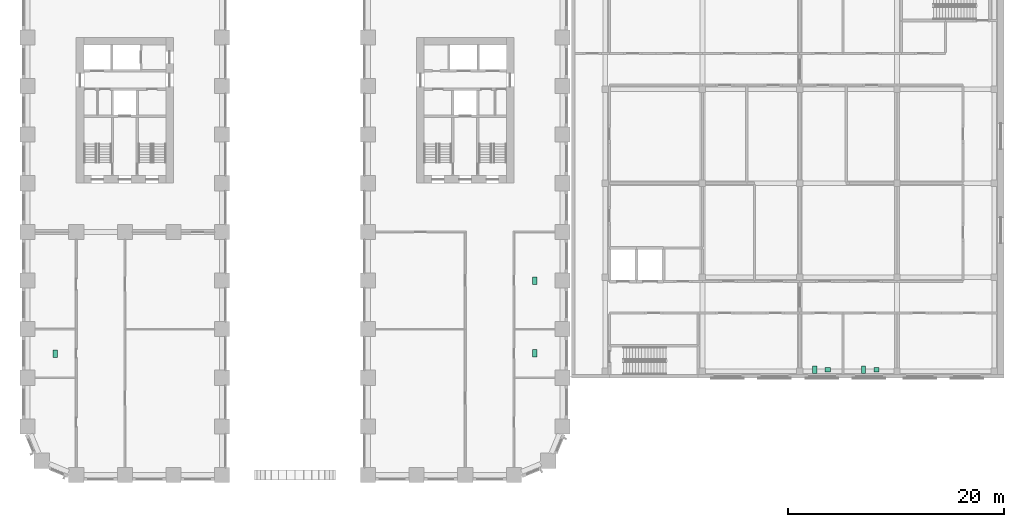
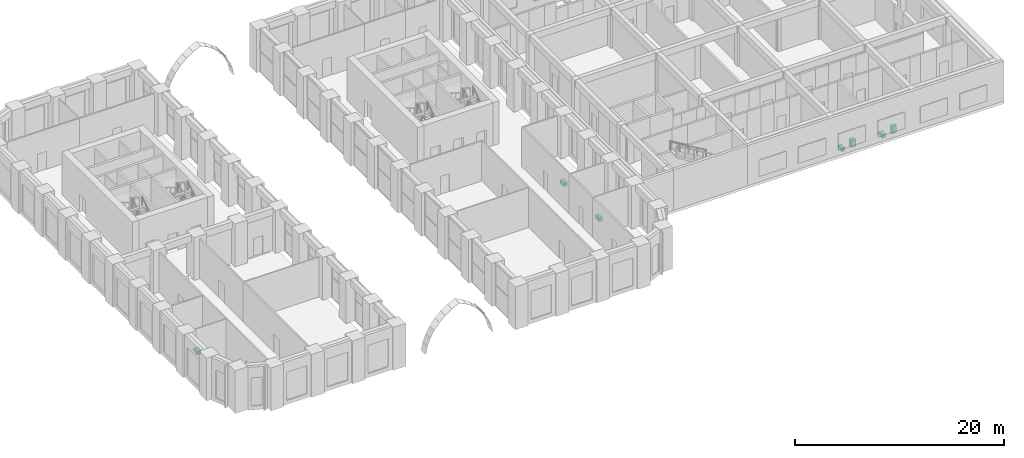
# One storey, part 24 of 24: 7 sanitary terminals.
"""IFC4 building model written with IfcOpenShell, lengths in metres."""

from ifc_helpers import new_model, si_unit, direction, frame, origin, origin_2d, place, context, subcontext, project, spatial, rectangle, extrude, material, type_object, element, save


model = new_model("IFC4")

# Units and contexts
model_context = context("Model", 3, precision=1e-05, world=origin(), true_north=direction((0.0, 1.0)))
body_context = subcontext(model_context, "Body", "Model", "MODEL_VIEW")
ifc_project = project(units=[si_unit("LENGTHUNIT", "METRE"), si_unit("AREAUNIT", "SQUARE_METRE"), si_unit("VOLUMEUNIT", "CUBIC_METRE"), si_unit("PLANEANGLEUNIT", "RADIAN"), si_unit("MASSUNIT", "GRAM", prefix="KILO")], contexts=[model_context])

# Site, building, storey
site_placement = place(None, origin())
site = spatial("IfcSite", under=ifc_project, at=site_placement, CompositionType="ELEMENT")
building_placement = place(site_placement, origin())
building = spatial("IfcBuilding", under=site, at=building_placement, Name="Girih Gate Residences", CompositionType="ELEMENT")
storey_placement = place(building_placement, frame((0.0, 0.0, 11.0)))
storey = spatial("IfcBuildingStorey", under=building, at=storey_placement, Name="L02", CompositionType="ELEMENT", Elevation=11.0)

# Sanitary terminals
ifc_material = material(Name="Vitreous china")
sanitary_terminal_type_1 = type_object("IfcSanitaryTerminalType", Name="HC WC pan", PredefinedType="WCSEAT", material=ifc_material)
for number, where, z_axis, x_axis, name in (
    (1, (72.85009765625, 9.75, 0.0), (0.0, 0.0, 1.0), (1.0, 0.0, 0.0), "L02 Accessible WC WC"),
    (2, (77.35009765625, 9.75, 0.0), (0.0, 0.0, 1.0), (1.0, 0.0, 0.0), "L02 Public WC WC"),
):
    element("IfcSanitaryTerminal", number, at=place(storey_placement, frame(where, z_axis=z_axis, x_axis=x_axis)), inside=storey, type_object=sanitary_terminal_type_1, Name=name, PredefinedType="WCSEAT", context=body_context, shape_type="SweptSolid", body=[
        extrude(rectangle(XDim=0.39990234375, YDim=0.699951171875, at=origin_2d()), origin(), (0.0, 0.0, 1.0), 0.39990234375),
    ])
sanitary_terminal_type_2 = type_object("IfcSanitaryTerminalType", Name="HC Wash hand basin", PredefinedType="WASHHANDBASIN", material=ifc_material)
for number, where, z_axis, x_axis, name in (
    (3, (74.050048828125, 9.75, 0.0), (0.0, 0.0, 1.0), (1.0, 0.0, 0.0), "L02 Accessible WC basin"),
    (4, (78.550048828125, 9.75, 0.0), (0.0, 0.0, 1.0), (1.0, 0.0, 0.0), "L02 Public WC basin"),
):
    element("IfcSanitaryTerminal", number, at=place(storey_placement, frame(where, z_axis=z_axis, x_axis=x_axis)), inside=storey, type_object=sanitary_terminal_type_2, Name=name, PredefinedType="WASHHANDBASIN", context=body_context, shape_type="SweptSolid", body=[
        extrude(rectangle(XDim=0.5, YDim=0.39990234375, at=origin_2d()), origin(), (0.0, 0.0, 1.0), 0.85009765625),
    ])
sanitary_terminal_type_3 = type_object("IfcSanitaryTerminalType", Name="WC pan", PredefinedType="TOILETPAN", material=ifc_material)
for number, where, z_axis, x_axis, name in (
    (5, (46.93798828125, 11.25, 0.0), (0.0, 0.0, 1.0), (1.0, 0.0, 0.0), "WC pan L02"),
    (6, (46.93798828125, 17.988037109375, 0.0), (0.0, 0.0, 1.0), (1.0, 0.0, 0.0), "WC pan L02"),
    (7, (2.56201171875, 11.238037109375, 0.0), (0.0, 0.0, 1.0), (1.0, 0.0, 0.0), "WC pan L02"),
):
    element("IfcSanitaryTerminal", number, at=place(storey_placement, frame(where, z_axis=z_axis, x_axis=x_axis)), inside=storey, type_object=sanitary_terminal_type_3, Name=name, PredefinedType="TOILETPAN", context=body_context, shape_type="SweptSolid", body=[
        extrude(rectangle(XDim=0.39990234375, YDim=0.699951171875, at=origin_2d()), origin(), (0.0, 0.0, 1.0), 0.39990234375),
    ])

save(model, "model.ifc")
